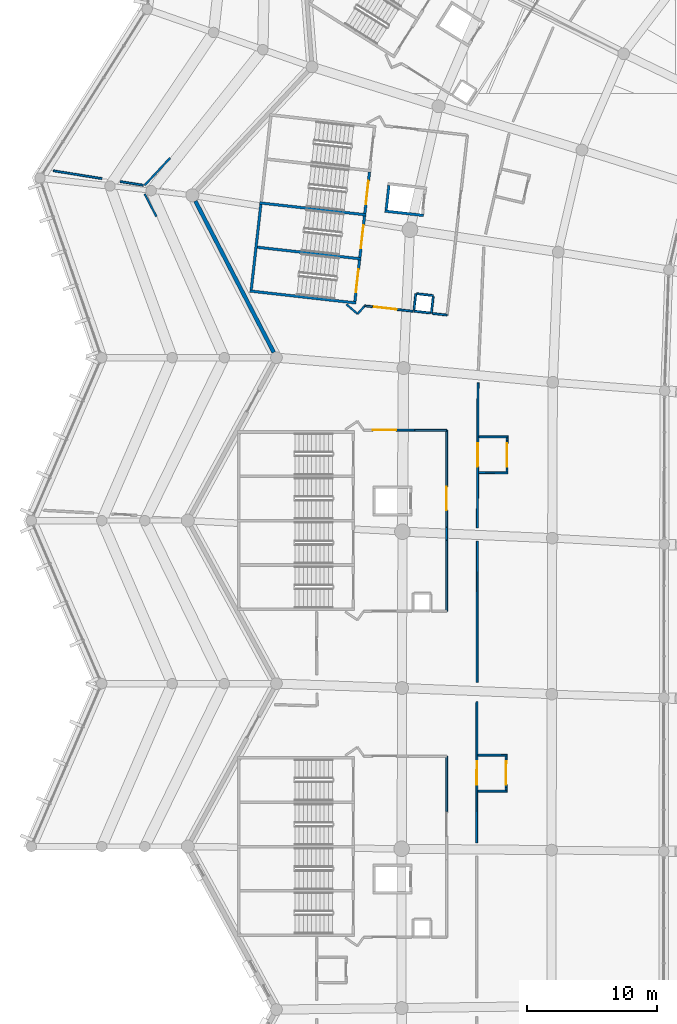
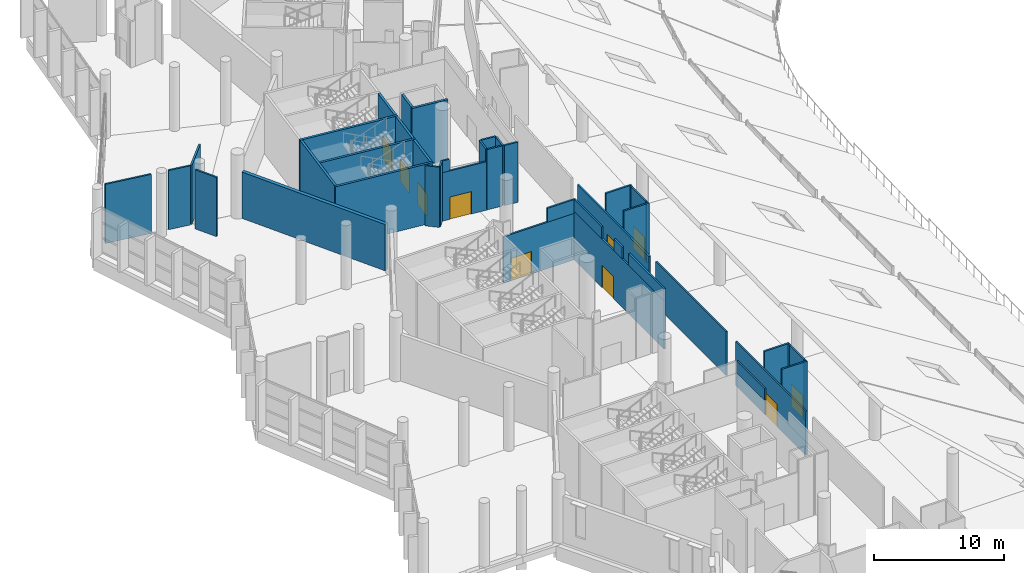
# One storey, part 160 of 249: 43 walls, 10 doors, 10 openings.
"""IFC4 building model written with IfcOpenShell, lengths in metres."""

import ifcopenshell
import ifcopenshell.guid

model = None  # the IFC model being written
_history = None  # IfcOwnerHistory: only IFC2X3 demands one
_inside = {}  # id of a spatial element -> (the spatial element, [elements in it])
_under = {}  # id of a project, library or spatial element -> (it, [spatial elements below it])
_declared = {}  # id of a project -> (the project, [libraries it declares])
_typed = {}  # id of a type object -> (the type object, [elements of that type])
_made_of = {}  # id of a material, layer set ... -> (it, [elements and type objects made of it])


def new_model(schema):
    """Start an empty IFC model of exactly this schema.

    Asked for "IFC4X3", IfcOpenShell would pick the latest addendum, in which some entities
    have other attributes; the version numbers below select the first issue.
    IFC2X3 requires an IfcOwnerHistory on every rooted entity: one is made here for all.
    """
    global model, _history
    if schema == "IFC4X3":
        model = ifcopenshell.file(schema_version=(4, 3, 0, 0))
    else:
        model = ifcopenshell.file(schema=schema)
    _inside.clear()
    _under.clear()
    _declared.clear()
    _typed.clear()
    _made_of.clear()
    _history = None
    if model.schema == "IFC2X3":
        org = make("IfcOrganization", Name="unknown")
        user = make(
            "IfcPersonAndOrganization",
            ThePerson=make("IfcPerson", FamilyName="unknown"),
            TheOrganization=org,
        )
        app = make(
            "IfcApplication",
            ApplicationDeveloper=org,
            Version="unknown",
            ApplicationFullName="unknown",
            ApplicationIdentifier="unknown",
        )
        _history = make(
            "IfcOwnerHistory",
            OwningUser=user,
            OwningApplication=app,
            ChangeAction="ADDED",
            CreationDate=0,
        )
    return model


def make(cls, **values):
    """One entity of the class cls with the attributes given. An attribute that is None is left unset."""
    return model.create_entity(
        cls, **{name: value for name, value in values.items() if value is not None}
    )


def rooted(cls, **values):
    """An entity with a GlobalId (a new one), such as an element, a storey or a relation."""
    return make(cls, GlobalId=ifcopenshell.guid.new(), OwnerHistory=_history, **values)


def si_unit(unit_type, name, prefix=None):
    """IfcSIUnit, for example si_unit("LENGTHUNIT", "METRE", prefix="MILLI")."""
    return make("IfcSIUnit", UnitType=unit_type, Prefix=prefix, Name=name)


def assignment(units):
    """IfcUnitAssignment: the units of a project."""
    return None if units is None else make("IfcUnitAssignment", Units=units)


def point(xyz):
    """IfcCartesianPoint."""
    return None if xyz is None else make("IfcCartesianPoint", Coordinates=xyz)


def direction(xyz):
    """IfcDirection."""
    return None if xyz is None else make("IfcDirection", DirectionRatios=xyz)


def frame(location, z_axis=None, x_axis=None):
    """IfcAxis2Placement3D, a coordinate frame: its origin and axes. An axis left out is left unset."""
    return make(
        "IfcAxis2Placement3D",
        Location=point(location),
        Axis=direction(z_axis),
        RefDirection=direction(x_axis),
    )


def frame_2d(location, x_axis=None):
    """IfcAxis2Placement2D, a coordinate frame in the plane: its origin and x axis."""
    return make(
        "IfcAxis2Placement2D", Location=point(location), RefDirection=direction(x_axis)
    )


def origin():
    """The frame at (0, 0, 0) with its axes left unset."""
    return frame((0.0, 0.0, 0.0))


def place(relative_to, where):
    """IfcLocalPlacement: puts the frame where relative to a parent placement (None: the world)."""
    return make(
        "IfcLocalPlacement", PlacementRelTo=relative_to, RelativePlacement=where
    )


def context(
    kind, dimensions, precision=None, world=None, true_north=None, identifier=None
):
    """IfcGeometricRepresentationContext, for example the 3D "Model" context."""
    return make(
        "IfcGeometricRepresentationContext",
        ContextIdentifier=identifier,
        ContextType=kind,
        CoordinateSpaceDimension=dimensions,
        Precision=precision,
        WorldCoordinateSystem=world,
        TrueNorth=true_north,
    )


def subcontext(parent, identifier, kind, view, scale=None):
    """IfcGeometricRepresentationSubContext, for example "Body" below "Model"."""
    return make(
        "IfcGeometricRepresentationSubContext",
        ContextIdentifier=identifier,
        ContextType=kind,
        ParentContext=parent,
        TargetScale=scale,
        TargetView=view,
    )


def project(units=None, contexts=None):
    """IfcProject with its units and contexts."""
    return rooted(
        "IfcProject",
        Name="project",
        RepresentationContexts=contexts,
        UnitsInContext=assignment(units),
    )


def spatial(cls, under=None, at=None, **own):
    """A site, building, storey or space (cls), placed at a placement, below another one or the project."""
    s = rooted(cls, ObjectPlacement=at, **own)
    if under is not None:
        _under.setdefault(under.id(), (under, []))[1].append(s)
    return s


def profile(cls, at=None, kind="AREA", **sizes):
    """A parametric profile (cls). Its sizes go by their IFC names, for example OverallWidth=200.0."""
    return make(cls, ProfileType=kind, Position=at, **sizes)


def rectangle(**sizes):
    """IfcRectangleProfileDef."""
    return profile("IfcRectangleProfileDef", **sizes)


def extrude(swept, where, along, depth):
    """IfcExtrudedAreaSolid: the profile swept, set in the frame where, extruded along a direction by depth."""
    return make(
        "IfcExtrudedAreaSolid",
        SweptArea=swept,
        Position=where,
        ExtrudedDirection=direction(along),
        Depth=depth,
    )


def shape(context_of_items, identifier, shape_type, items):
    """IfcShapeRepresentation: the items that make up one representation, for example the "Body"."""
    return make(
        "IfcShapeRepresentation",
        ContextOfItems=context_of_items,
        RepresentationIdentifier=identifier,
        RepresentationType=shape_type,
        Items=items,
    )


def material(Name=None, Category=None):
    """IfcMaterial."""
    return make("IfcMaterial", Name=Name, Category=Category)


def layer(
    of_material, thickness, ventilated=None, Name=None, Category=None, Priority=None
):
    """IfcMaterialLayer: one layer of a wall or slab, of a material (None: an air gap)."""
    return make(
        "IfcMaterialLayer",
        Material=of_material,
        LayerThickness=thickness,
        IsVentilated=ventilated,
        Name=Name,
        Category=Category,
        Priority=Priority,
    )


def layer_set(layers, Name=None):
    """IfcMaterialLayerSet."""
    return make("IfcMaterialLayerSet", MaterialLayers=layers, LayerSetName=Name)


def made_of(thing, what):
    """Note that an element or type object is made of a material, layer set ...; save() writes the relation."""
    if what is not None:
        _made_of.setdefault(what.id(), (what, []))[1].append(thing)
    return thing


def type_object(cls, material=None, **own):
    """A type object (cls), such as IfcWallType, which elements share."""
    return made_of(rooted(cls, **own), material)


def element(
    cls,
    number,
    at=None,
    inside=None,
    cuts=None,
    type_object=None,
    material=None,
    context=None,
    identifier="Body",
    shape_type=None,
    held_by="IfcProductDefinitionShape",
    body=None,
    shapes=None,
    **own,
):
    """One element of the class cls, such as IfcWall. Its Tag is "e" and its number.

    at: its placement. inside: the storey or other place that contains it. cuts: it is an
    opening in that element (IfcRelVoidsElement). A single representation is given by context,
    identifier, shape_type and body (its items); several are given by shapes. held_by: the class
    of the entity that holds the representations. save() writes the other relations.
    """
    e = rooted(cls, Tag="e%d" % number, ObjectPlacement=at, **own)
    if body is not None:
        shapes = [shape(context, identifier, shape_type, body)]
    if shapes is not None:
        e.Representation = make(held_by, Representations=shapes)
    if inside is not None:
        _inside.setdefault(inside.id(), (inside, []))[1].append(e)
    if cuts is not None:
        rooted(
            "IfcRelVoidsElement", RelatingBuildingElement=cuts, RelatedOpeningElement=e
        )
    if type_object is not None:
        _typed.setdefault(type_object.id(), (type_object, []))[1].append(e)
    return made_of(e, material)


def fill(opening, filler):
    """IfcRelFillsElement: the door or window that sits in an opening."""
    return rooted(
        "IfcRelFillsElement",
        RelatingOpeningElement=opening,
        RelatedBuildingElement=filler,
    )


def aggregate(whole, parts):
    """IfcRelAggregates: a whole, such as a stair, and the parts it consists of."""
    return rooted("IfcRelAggregates", RelatingObject=whole, RelatedObjects=parts)


def save(model, path):
    """Write the relations noted so far, then the file.

    IfcRelAggregates (storeys below a building ...), IfcRelContainedInSpatialStructure (elements
    in a storey), IfcRelDefinesByType, IfcRelAssociatesMaterial and IfcRelDeclares: one each for
    every whole, place, type object, material and project.
    """
    for whole, parts in _under.values():
        aggregate(whole, parts)
    for where, things in _inside.values():
        rooted(
            "IfcRelContainedInSpatialStructure",
            RelatedElements=things,
            RelatingStructure=where,
        )
    for kind, things in _typed.values():
        rooted("IfcRelDefinesByType", RelatedObjects=things, RelatingType=kind)
    for what, things in _made_of.values():
        rooted("IfcRelAssociatesMaterial", RelatedObjects=things, RelatingMaterial=what)
    for by, libraries in _declared.values():
        rooted("IfcRelDeclares", RelatingContext=by, RelatedDefinitions=libraries)
    model.write(path)


model = new_model("IFC4")

# Units and contexts
model_context = context("Model", 3, precision=1e-05, world=origin(), true_north=direction((0.0, 1.0)))
body_context = subcontext(model_context, "Body", "Model", "MODEL_VIEW")
ifc_project = project(units=[si_unit("LENGTHUNIT", "METRE"), si_unit("AREAUNIT", "SQUARE_METRE"), si_unit("VOLUMEUNIT", "CUBIC_METRE"), si_unit("PLANEANGLEUNIT", "RADIAN"), si_unit("MASSUNIT", "GRAM", prefix="KILO")], contexts=[model_context])

# Site, building, storey
site_placement = place(None, origin())
site = spatial("IfcSite", under=ifc_project, at=site_placement, CompositionType="ELEMENT")
building_placement = place(site_placement, origin())
building = spatial("IfcBuilding", under=site, at=building_placement, Name="Meseta Stadium", CompositionType="ELEMENT")
storey_placement = place(building_placement, frame((0.0, 0.0, 12.0)))
storey = spatial("IfcBuildingStorey", under=building, at=storey_placement, Name="L02", CompositionType="ELEMENT", Elevation=12.0)

# Walls
ifc_material_1 = material(Name="Concrete C40/50", Category="concrete")
ifc_layer_1 = layer(ifc_material_1, 0.199951171875)
ifc_layer_set_1 = layer_set([ifc_layer_1], Name="Core divider wall 200")
wall_type_1 = type_object("IfcWallType", Name="Core divider wall 200", PredefinedType="SHEAR", material=ifc_layer_set_1)
wall_1_placement = place(storey_placement, frame((-96.264892578125, 52.241943359375, 0.0), z_axis=(0.0, 0.0, 1.0), x_axis=(0.993713731549, -0.111950970206, 0.0)))
element("IfcWall", 1, at=wall_1_placement, inside=storey, type_object=wall_type_1, Name="Core 15 L02 stair B divider wall", PredefinedType="SHEAR", context=body_context, shape_type="SweptSolid", body=[
    extrude(rectangle(XDim=8.19970703125, YDim=0.199951171875, at=frame_2d((4.099853515625, 0.0))), origin(), (0.0, 0.0, 1.0), 5.64990234375),
])
ifc_material_2 = material(Name="Concrete C40/50", Category="concrete")
ifc_layer_2 = layer(ifc_material_2, 0.199951171875)
ifc_layer_set_2 = layer_set([ifc_layer_2], Name="Core shaft wall 200")
wall_type_2 = type_object("IfcWallType", Name="Core shaft wall 200", PredefinedType="SHEAR", material=ifc_layer_set_2)
wall_2_placement = place(storey_placement, frame((-95.884521484375, 55.62060546875, 0.0), z_axis=(0.0, 0.0, 1.0), x_axis=(0.993711165474, -0.111973745194, 0.0)))
element("IfcWall", 2, at=wall_2_placement, inside=storey, type_object=wall_type_2, Name="Core 15 L02 stair wall shared", PredefinedType="SHEAR", context=body_context, shape_type="SweptSolid", body=[
    extrude(rectangle(XDim=8.2001953125, YDim=0.199951171875, at=frame_2d((4.10009765625, 0.0))), origin(), (0.0, 0.0, 1.0), 5.64990234375),
])
wall_3_placement = place(storey_placement, frame((-96.645751953125, 48.86328125, 0.0), z_axis=(0.0, 0.0, 1.0), x_axis=(0.993714104693, -0.111947658007, 0.0)))
element("IfcWall", 3, at=wall_3_placement, inside=storey, type_object=wall_type_2, Name="Core 15 L02 stair wall B-side", PredefinedType="SHEAR", context=body_context, shape_type="SweptSolid", body=[
    extrude(rectangle(XDim=8.199951171875, YDim=0.199951171875, at=frame_2d((4.10009765625, 0.0))), origin(), (0.0, 0.0, 1.0), 5.64990234375),
])
wall_4_placement = place(storey_placement, frame((-95.796142578125, 55.510009765625, 0.0), z_axis=(0.0, 0.0, 1.0), x_axis=(-0.111970106426, -0.993711575492, 0.0)))
element("IfcWall", 4, at=wall_4_placement, inside=storey, type_object=wall_type_2, Name="Core 15 L02 stair B outer end wall", PredefinedType="SHEAR", context=body_context, shape_type="SweptSolid", body=[
    extrude(rectangle(XDim=6.60009765625, YDim=0.199951171875, at=frame_2d((3.300048828125, 0.0))), origin(), (0.0, 0.0, 1.0), 5.64990234375),
])

# Wall, opening, door
wall_5_placement = place(storey_placement, frame((-87.4658203125, 57.992919921875, 0.0), z_axis=(0.0, 0.0, 1.0), x_axis=(-0.111997244021, -0.993708517288, 0.0)))
wall_5 = element("IfcWall", 5, at=wall_5_placement, inside=storey, type_object=wall_type_2, Name="Core 15 L02 stair A2 inner end wall", PredefinedType="SHEAR", context=body_context, shape_type="SweptSolid", body=[
    extrude(rectangle(XDim=3.199951171875, YDim=0.199951171875, at=frame_2d((1.60009765625, 0.0))), origin(), (0.0, 0.0, 1.0), 5.64990234375),
])
opening_1_placement = place(wall_5_placement, frame((0.699951171875, 0.0, 0.0)))
opening_1 = element("IfcOpeningElement", 6, at=opening_1_placement, cuts=wall_5, Name="Opening D1008", PredefinedType="OPENING", context=body_context, shape_type="SweptSolid", body=[
    extrude(rectangle(XDim=1.800048828125, YDim=2.10009765625, at=frame_2d((0.89990234375, 1.050048828125))), frame((0.0, 0.10986328125, 0.0), z_axis=(0.0, -1.0, 0.0), x_axis=(1.0, 0.0, 0.0)), (0.0, 0.0, 1.0), 0.219970703125),
])
ifc_material_3 = material(Name="Steel", Category="steel")
door_type_1 = type_object("IfcDoorType", Name="Stair door 1800x2100", OperationType="DOUBLE_DOOR_SINGLE_SWING", PredefinedType="DOOR", material=ifc_material_3)
door_1_placement = place(opening_1_placement, origin())
door_1 = element("IfcDoor", 7, at=door_1_placement, inside=storey, type_object=door_type_1, Name="Stair A2 door 15 L02", OperationType="DOUBLE_DOOR_SINGLE_SWING", OverallHeight=2.10009765625, OverallWidth=1.800048828125, PredefinedType="DOOR", context=body_context, shape_type="SweptSolid", body=[
    extrude(rectangle(XDim=1.800048828125, YDim=2.10009765625, at=frame_2d((0.89990234375, 1.050048828125))), frame((0.0, 0.02490234375, 0.0), z_axis=(0.0, -1.0, 0.0), x_axis=(1.0, 0.0, 0.0)), (0.0, 0.0, 1.0), 0.050048828125),
])
fill(opening_1, door_1)

wall_6_placement = place(storey_placement, frame((-87.846435546875, 54.6142578125, 0.0), z_axis=(0.0, 0.0, 1.0), x_axis=(-0.112005735442, -0.993707560215, 0.0)))
wall_6 = element("IfcWall", 8, at=wall_6_placement, inside=storey, type_object=wall_type_2, Name="Core 15 L02 stair B1 inner end wall", PredefinedType="SHEAR", context=body_context, shape_type="SweptSolid", body=[
    extrude(rectangle(XDim=3.19970703125, YDim=0.199951171875, at=frame_2d((1.599853515625, 0.0))), origin(), (0.0, 0.0, 1.0), 5.64990234375),
])
opening_2_placement = place(wall_6_placement, frame((0.699951171875, 0.0, 0.0)))
opening_2 = element("IfcOpeningElement", 9, at=opening_2_placement, cuts=wall_6, Name="Opening D1007", PredefinedType="OPENING", context=body_context, shape_type="SweptSolid", body=[
    extrude(rectangle(XDim=1.800048828125, YDim=2.10009765625, at=frame_2d((0.89990234375, 1.050048828125))), frame((0.0, 0.10986328125, 0.0), z_axis=(0.0, -1.0, 0.0), x_axis=(1.0, 0.0, 0.0)), (0.0, 0.0, 1.0), 0.219970703125),
])
door_2_placement = place(opening_2_placement, origin())
door_2 = element("IfcDoor", 10, at=door_2_placement, inside=storey, type_object=door_type_1, Name="Stair B1 door 15 L02", OperationType="DOUBLE_DOOR_SINGLE_SWING", OverallHeight=2.10009765625, OverallWidth=1.800048828125, PredefinedType="DOOR", context=body_context, shape_type="SweptSolid", body=[
    extrude(rectangle(XDim=1.800048828125, YDim=2.10009765625, at=frame_2d((0.89990234375, 1.050048828125))), frame((0.0, 0.02490234375, 0.0), z_axis=(0.0, -1.0, 0.0), x_axis=(1.0, 0.0, 0.0)), (0.0, 0.0, 1.0), 0.050048828125),
])
fill(opening_2, door_2)

wall_7_placement = place(storey_placement, frame((-88.227294921875, 51.235595703125, 0.0), z_axis=(0.0, 0.0, 1.0), x_axis=(-0.111930393474, -0.993716049491, 0.0)))
wall_7 = element("IfcWall", 11, at=wall_7_placement, inside=storey, type_object=wall_type_2, Name="Core 15 L02 stair B2 inner end wall", PredefinedType="SHEAR", context=body_context, shape_type="SweptSolid", body=[
    extrude(rectangle(XDim=3.19970703125, YDim=0.199951171875, at=frame_2d((1.599853515625, 0.0))), origin(), (0.0, 0.0, 1.0), 5.64990234375),
])
opening_3_placement = place(wall_7_placement, frame((0.699951171875, 0.0, 0.0)))
opening_3 = element("IfcOpeningElement", 12, at=opening_3_placement, cuts=wall_7, Name="Opening D1006", PredefinedType="OPENING", context=body_context, shape_type="SweptSolid", body=[
    extrude(rectangle(XDim=1.800048828125, YDim=2.10009765625, at=frame_2d((0.89990234375, 1.050048828125))), frame((0.0, 0.10986328125, 0.0), z_axis=(0.0, -1.0, 0.0), x_axis=(1.0, 0.0, 0.0)), (0.0, 0.0, 1.0), 0.219970703125),
])
door_3_placement = place(opening_3_placement, origin())
door_3 = element("IfcDoor", 13, at=door_3_placement, inside=storey, type_object=door_type_1, Name="Stair B2 door 15 L02", OperationType="DOUBLE_DOOR_SINGLE_SWING", OverallHeight=2.10009765625, OverallWidth=1.800048828125, PredefinedType="DOOR", context=body_context, shape_type="SweptSolid", body=[
    extrude(rectangle(XDim=1.800048828125, YDim=2.10009765625, at=frame_2d((0.89990234375, 1.050048828125))), frame((0.0, 0.02490234375, 0.0), z_axis=(0.0, -1.0, 0.0), x_axis=(1.0, 0.0, 0.0)), (0.0, 0.0, 1.0), 0.050048828125),
])
fill(opening_3, door_3)

# Walls
wall_8_placement = place(storey_placement, frame((-86.294189453125, 54.992919921875, 0.0), z_axis=(0.0, 0.0, 1.0), x_axis=(0.993709824566, -0.111985644439, 0.0)))
element("IfcWall", 14, at=wall_8_placement, inside=storey, type_object=wall_type_2, Name="Core 15 L02 lift shaft wall right", PredefinedType="SHEAR", context=body_context, shape_type="SweptSolid", body=[
    extrude(rectangle(XDim=2.999755859375, YDim=0.199951171875, at=frame_2d((1.5, 0.0))), origin(), (0.0, 0.0, 1.0), 5.64990234375),
])
wall_9_placement = place(storey_placement, frame((-85.970947265625, 56.96923828125, 0.0), z_axis=(0.0, 0.0, 1.0), x_axis=(-0.112039012324, -0.993703808847, 0.0)))
element("IfcWall", 15, at=wall_9_placement, inside=storey, type_object=wall_type_2, Name="Core 15 L02 lift shaft back wall", PredefinedType="SHEAR", context=body_context, shape_type="SweptSolid", body=[
    extrude(rectangle(XDim=1.900146484375, YDim=0.199951171875, at=frame_2d((0.9501953125, 0.0))), origin(), (0.0, 0.0, 1.0), 5.64990234375),
])

# Wall, opening, door
ifc_material_4 = material(Name="Masonry blockwork", Category="masonry")
ifc_layer_3 = layer(ifc_material_4, 0.14990234375)
ifc_layer_set_3 = layer_set([ifc_layer_3], Name="Partition 150")
wall_type_3 = type_object("IfcWallType", Name="Partition 150", PredefinedType="PARTITIONING", material=ifc_layer_set_3)
wall_10_placement = place(storey_placement, frame((-79.1904296875, 30.7021484375, 0.0), z_axis=(0.0, 0.0, 1.0), x_axis=(0.004546006523, 0.999989666859, 0.0)))
wall_10 = element("IfcWall", 16, at=wall_10_placement, inside=storey, type_object=wall_type_3, Name="Partition L02 L02-cell14-0-0", PredefinedType="PARTITIONING", context=body_context, shape_type="SweptSolid", body=[
    extrude(rectangle(XDim=11.11669921875, YDim=0.14990234375, at=frame_2d((5.558349609375, 0.0))), origin(), (0.0, 0.0, 1.0), 3.972900390625),
])
opening_4_placement = place(wall_10_placement, frame((4.699951171875, 0.0, 0.0)))
opening_4 = element("IfcOpeningElement", 17, at=opening_4_placement, cuts=wall_10, Name="Opening D1038", PredefinedType="OPENING", context=body_context, shape_type="SweptSolid", body=[
    extrude(rectangle(XDim=1.800048828125, YDim=2.10009765625, at=frame_2d((0.89990234375, 1.050048828125))), frame((0.0, 0.0849609375, 0.0), z_axis=(0.0, -1.0, 0.0), x_axis=(1.0, 0.0, 0.0)), (0.0, 0.0, 1.0), 0.169921875),
])
ifc_material_5 = material(Name="Steel", Category="steel")
door_type_2 = type_object("IfcDoorType", Name="Fire double door 1800x2100 EI2 60", OperationType="DOUBLE_DOOR_SINGLE_SWING", PredefinedType="DOOR", material=ifc_material_5)
door_4_placement = place(opening_4_placement, origin())
door_4 = element("IfcDoor", 18, at=door_4_placement, inside=storey, type_object=door_type_2, Name="Room door L02 L02-cell14-0-0", OperationType="DOUBLE_DOOR_SINGLE_SWING", OverallHeight=2.10009765625, OverallWidth=1.800048828125, PredefinedType="DOOR", context=body_context, shape_type="SweptSolid", body=[
    extrude(rectangle(XDim=1.800048828125, YDim=2.10009765625, at=frame_2d((0.89990234375, 1.050048828125))), frame((0.0, 0.02490234375, 0.0), z_axis=(0.0, -1.0, 0.0), x_axis=(1.0, 0.0, 0.0)), (0.0, 0.0, 1.0), 0.050048828125),
])
fill(opening_4, door_4)

wall_11_placement = place(storey_placement, frame((-79.24658203125, 6.53662109375, 0.0), z_axis=(0.0, 0.0, 1.0), x_axis=(0.002276512155, 0.999997408743, 0.0)))
wall_11 = element("IfcWall", 19, at=wall_11_placement, inside=storey, type_object=wall_type_3, Name="Partition L02 L02-cell15-0-0", PredefinedType="PARTITIONING", context=body_context, shape_type="SweptSolid", body=[
    extrude(rectangle(XDim=10.83154296875, YDim=0.14990234375, at=frame_2d((5.415771484375, 0.0))), origin(), (0.0, 0.0, 1.0), 4.123779296875),
])
opening_5_placement = place(wall_11_placement, frame((4.449951171875, 0.0, 0.0)))
opening_5 = element("IfcOpeningElement", 20, at=opening_5_placement, cuts=wall_11, Name="Opening D1037", PredefinedType="OPENING", context=body_context, shape_type="SweptSolid", body=[
    extrude(rectangle(XDim=1.800048828125, YDim=2.10009765625, at=frame_2d((0.89990234375, 1.050048828125))), frame((0.0, 0.0849609375, 0.0), z_axis=(0.0, -1.0, 0.0), x_axis=(1.0, 0.0, 0.0)), (0.0, 0.0, 1.0), 0.169921875),
])
door_5_placement = place(opening_5_placement, origin())
door_5 = element("IfcDoor", 21, at=door_5_placement, inside=storey, type_object=door_type_2, Name="Room door L02 L02-cell15-0-0", OperationType="DOUBLE_DOOR_SINGLE_SWING", OverallHeight=2.10009765625, OverallWidth=1.800048828125, PredefinedType="DOOR", context=body_context, shape_type="SweptSolid", body=[
    extrude(rectangle(XDim=1.800048828125, YDim=2.10009765625, at=frame_2d((0.89990234375, 1.050048828125))), frame((0.0, 0.02490234375, 0.0), z_axis=(0.0, -1.0, 0.0), x_axis=(1.0, 0.0, 0.0)), (0.0, 0.0, 1.0), 0.050048828125),
])
fill(opening_5, door_5)

# Walls
wall_12_placement = place(storey_placement, frame((-79.218505859375, 18.84521484375, 0.0), z_axis=(0.0, 0.0, 1.0), x_axis=(0.002254023351, 0.999997459686, 0.0)))
element("IfcWall", 22, at=wall_12_placement, inside=storey, type_object=wall_type_3, Name="Partition L02 L02-cell15-0-0", PredefinedType="PARTITIONING", context=body_context, shape_type="SweptSolid", body=[
    extrude(rectangle(XDim=10.831298828125, YDim=0.14990234375, at=frame_2d((5.41552734375, 0.0))), origin(), (0.0, 0.0, 1.0), 4.123779296875),
])
wall_13_placement = place(storey_placement, frame((-102.74658203125, 59.077880859375, 0.0), z_axis=(0.0, 0.0, 1.0), x_axis=(-0.681777855642, -0.731559263188, 0.0)))
element("IfcWall", 23, at=wall_13_placement, inside=storey, type_object=wall_type_3, Name="Partition L02 L02-ring13-0", PredefinedType="PARTITIONING", context=body_context, shape_type="SweptSolid", body=[
    extrude(rectangle(XDim=2.8984375, YDim=0.14990234375, at=frame_2d((1.44921875, 0.0))), origin(), (0.0, 0.0, 1.0), 5.550048828125),
])
wall_14_placement = place(storey_placement, frame((-104.811767578125, 56.971923828125, 0.0), z_axis=(0.0, 0.0, 1.0), x_axis=(-0.987274842255, 0.159023224248, 0.0)))
element("IfcWall", 24, at=wall_14_placement, inside=storey, type_object=wall_type_3, Name="Partition L02 L02-ring13-0", PredefinedType="PARTITIONING", context=body_context, shape_type="SweptSolid", body=[
    extrude(rectangle(XDim=1.7978515625, YDim=0.14990234375, at=frame_2d((0.89892578125, 0.0))), origin(), (0.0, 0.0, 1.0), 5.550048828125),
])
wall_15_placement = place(storey_placement, frame((-107.984619140625, 57.48291015625, 0.0), z_axis=(0.0, 0.0, 1.0), x_axis=(-0.987279127288, 0.158996618901, 0.0)))
element("IfcWall", 25, at=wall_15_placement, inside=storey, type_object=wall_type_3, Name="Partition L02 L02-ring13-0", PredefinedType="PARTITIONING", context=body_context, shape_type="SweptSolid", body=[
    extrude(rectangle(XDim=3.77587890625, YDim=0.14990234375, at=frame_2d((1.887939453125, 0.0))), origin(), (0.0, 0.0, 1.0), 5.550048828125),
])
wall_16_placement = place(storey_placement, frame((-104.707275390625, 56.302490234375, 0.0), z_axis=(0.0, 0.0, 1.0), x_axis=(0.459976248991, -0.887931219388, 0.0)))
element("IfcWall", 26, at=wall_16_placement, inside=storey, type_object=wall_type_3, Name="Partition L02 L02-ring14-0", PredefinedType="PARTITIONING", context=body_context, shape_type="SweptSolid", body=[
    extrude(rectangle(XDim=1.944091796875, YDim=0.14990234375, at=frame_2d((0.97216796875, 0.0))), origin(), (0.0, 0.0, 1.0), 5.550048828125),
])
for number, where, z_axis, x_axis, name in (
    (27, (-83.913330078125, 48.66162109375, 0.0), (0.0, 0.0, 1.0), (-0.111818407645, -0.993728656984, 0.0), "Pressurisation shaft wall L02 core 15"),
    (28, (-84.064453125, 47.320068359375, 0.0), (0.0, 0.0, 1.0), (0.993707363865, -0.11200747743, 0.0), "Pressurisation shaft wall L02 core 15"),
):
    element("IfcWall", number, at=place(storey_placement, frame(where, z_axis=z_axis, x_axis=x_axis)), inside=storey, type_object=wall_type_3, Name=name, PredefinedType="PARTITIONING", context=body_context, shape_type="SweptSolid", body=[
        extrude(rectangle(XDim=1.275146484375, YDim=0.14990234375, at=frame_2d((0.6376953125, 0.0))), origin(), (0.0, 0.0, 1.0), 5.64990234375),
    ])
for number, where, z_axis, x_axis, name in (
    (29, (-82.722900390625, 47.1689453125, 0.0), (0.0, 0.0, 1.0), (0.112028792108, 0.993704961112, 0.0), "Pressurisation shaft wall L02 core 15"),
    (30, (-82.57177734375, 48.510498046875, 0.0), (0.0, 0.0, 1.0), (-0.993726262285, 0.111839687257, 0.0), "Pressurisation shaft wall L02 core 15"),
):
    element("IfcWall", number, at=place(storey_placement, frame(where, z_axis=z_axis, x_axis=x_axis)), inside=storey, type_object=wall_type_3, Name=name, PredefinedType="PARTITIONING", context=body_context, shape_type="SweptSolid", body=[
        extrude(rectangle(XDim=1.27490234375, YDim=0.14990234375, at=frame_2d((0.637451171875, 0.0))), origin(), (0.0, 0.0, 1.0), 5.64990234375),
    ])
wall_17_placement = place(storey_placement, frame((-89.233642578125, 47.83740234375, 0.0), z_axis=(0.0, 0.0, 1.0), x_axis=(0.758950911089, -0.651147843855, 0.0)))
element("IfcWall", 31, at=wall_17_placement, inside=storey, type_object=wall_type_3, Name="Stair vestibule wall L02 core 15", PredefinedType="PARTITIONING", context=body_context, shape_type="SweptSolid", body=[
    extrude(rectangle(XDim=1.1279296875, YDim=0.14990234375, at=frame_2d((0.56396484375, 0.0))), origin(), (0.0, 0.0, 1.0), 5.64990234375),
])
wall_18_placement = place(storey_placement, frame((-88.377685546875, 47.10302734375, 0.0), z_axis=(0.0, 0.0, 1.0), x_axis=(0.66330376879, 0.748350259109, 0.0)))
element("IfcWall", 32, at=wall_18_placement, inside=storey, type_object=wall_type_3, Name="Stair vestibule wall L02 core 15", PredefinedType="PARTITIONING", context=body_context, shape_type="SweptSolid", body=[
    extrude(rectangle(XDim=0.82958984375, YDim=0.14990234375, at=frame_2d((0.414794921875, 0.0))), origin(), (0.0, 0.0, 1.0), 5.64990234375),
])

# Wall, opening, door
wall_19_placement = place(storey_placement, frame((-87.827392578125, 47.723876953125, 0.0), z_axis=(0.0, 0.0, 1.0), x_axis=(0.993708869306, -0.11199412066, 0.0)))
wall_19 = element("IfcWall", 33, at=wall_19_placement, inside=storey, type_object=wall_type_3, Name="Stair vestibule wall L02 core 15", PredefinedType="PARTITIONING", context=body_context, shape_type="SweptSolid", body=[
    extrude(rectangle(XDim=3.70361328125, YDim=0.14990234375, at=frame_2d((1.851806640625, 0.0))), origin(), (0.0, 0.0, 1.0), 4.550048828125),
])
opening_6_placement = place(wall_19_placement, frame((0.64990234375, 0.0, 0.0)))
opening_6 = element("IfcOpeningElement", 34, at=opening_6_placement, cuts=wall_19, Name="Opening D1017", PredefinedType="OPENING", context=body_context, shape_type="SweptSolid", body=[
    extrude(rectangle(XDim=1.800048828125, YDim=2.10009765625, at=frame_2d((0.89990234375, 1.050048828125))), frame((0.0, 0.0849609375, 0.0), z_axis=(0.0, -1.0, 0.0), x_axis=(1.0, 0.0, 0.0)), (0.0, 0.0, 1.0), 0.169921875),
])
door_6_placement = place(opening_6_placement, origin())
door_6 = element("IfcDoor", 35, at=door_6_placement, inside=storey, type_object=door_type_2, Name="Stair vestibule door L02 core 15", OperationType="DOUBLE_DOOR_SINGLE_SWING", OverallHeight=2.10009765625, OverallWidth=1.800048828125, PredefinedType="DOOR", context=body_context, shape_type="SweptSolid", body=[
    extrude(rectangle(XDim=1.800048828125, YDim=2.10009765625, at=frame_2d((0.89990234375, 1.050048828125))), frame((0.0, 0.02490234375, 0.0), z_axis=(0.0, -1.0, 0.0), x_axis=(1.0, 0.0, 0.0)), (0.0, 0.0, 1.0), 0.050048828125),
])
fill(opening_6, door_6)

# Walls
wall_20_placement = place(storey_placement, frame((-87.827392578125, 47.723876953125, 4.550048828125), z_axis=(0.0, 0.0, 1.0), x_axis=(0.993673547442, -0.112307083986, 0.0)))
element("IfcWall", 36, at=wall_20_placement, inside=storey, type_object=wall_type_3, Name="Stair vestibule wall L02 core 15", PredefinedType="PARTITIONING", context=body_context, shape_type="SweptSolid", body=[
    extrude(rectangle(XDim=0.60009765625, YDim=0.14990234375, at=frame_2d((0.300048828125, 0.0))), origin(), (0.0, 0.0, 1.0), 1.099853515625),
])
wall_21_placement = place(storey_placement, frame((-82.640625, 47.139404296875, 0.0), z_axis=(0.0, 0.0, 1.0), x_axis=(0.993725340882, -0.111847873866, 0.0)))
element("IfcWall", 37, at=wall_21_placement, inside=storey, type_object=wall_type_3, Name="Stair vestibule wall L02 core 15", PredefinedType="PARTITIONING", context=body_context, shape_type="SweptSolid", body=[
    extrude(rectangle(XDim=1.135009765625, YDim=0.14990234375, at=frame_2d((0.5673828125, 0.0))), origin(), (0.0, 0.0, 1.0), 5.64990234375),
])

# Wall, opening, door
wall_22_placement = place(storey_placement, frame((-81.554931640625, 24.304931640625, 0.0), z_axis=(0.0, 0.0, 1.0), x_axis=(0.0, 1.0, 0.0)))
wall_22 = element("IfcWall", 38, at=wall_22_placement, inside=storey, type_object=wall_type_3, Name="Stair vestibule wall L02 core 16", PredefinedType="PARTITIONING", context=body_context, shape_type="SweptSolid", body=[
    extrude(rectangle(XDim=13.89013671875, YDim=0.14990234375, at=frame_2d((6.945068359375, 0.0))), origin(), (0.0, 0.0, 1.0), 4.550048828125),
])
opening_7_placement = place(wall_22_placement, frame((7.75, 0.0, 0.0)))
opening_7 = element("IfcOpeningElement", 39, at=opening_7_placement, cuts=wall_22, Name="Opening D1030", PredefinedType="OPENING", context=body_context, shape_type="SweptSolid", body=[
    extrude(rectangle(XDim=1.800048828125, YDim=2.10009765625, at=frame_2d((0.89990234375, 1.050048828125))), frame((0.0, 0.0849609375, 0.0), z_axis=(0.0, -1.0, 0.0), x_axis=(1.0, 0.0, 0.0)), (0.0, 0.0, 1.0), 0.169921875),
])
door_7_placement = place(opening_7_placement, origin())
door_7 = element("IfcDoor", 40, at=door_7_placement, inside=storey, type_object=door_type_2, Name="Stair vestibule door L02 core 16", OperationType="DOUBLE_DOOR_SINGLE_SWING", OverallHeight=2.10009765625, OverallWidth=1.800048828125, PredefinedType="DOOR", context=body_context, shape_type="SweptSolid", body=[
    extrude(rectangle(XDim=1.800048828125, YDim=2.10009765625, at=frame_2d((0.89990234375, 1.050048828125))), frame((0.0, 0.02490234375, 0.0), z_axis=(0.0, -1.0, 0.0), x_axis=(1.0, 0.0, 0.0)), (0.0, 0.0, 1.0), 0.050048828125),
])
fill(opening_7, door_7)

# Walls
wall_23_placement = place(storey_placement, frame((-81.554931640625, 24.304931640625, 4.550048828125), z_axis=(0.0, 0.0, 1.0), x_axis=(0.0, 1.0, 0.0)))
element("IfcWall", 41, at=wall_23_placement, inside=storey, type_object=wall_type_3, Name="Stair vestibule wall L02 core 16", PredefinedType="PARTITIONING", context=body_context, shape_type="SweptSolid", body=[
    extrude(rectangle(XDim=5.456787109375, YDim=0.14990234375, at=frame_2d((2.728515625, 0.0))), origin(), (0.0, 0.0, 1.0), 1.099853515625),
])
wall_24_placement = place(storey_placement, frame((-81.554931640625, 30.75390625, 4.550048828125), z_axis=(0.0, 0.0, 1.0), x_axis=(0.0, 1.0, 0.0)))
element("IfcWall", 42, at=wall_24_placement, inside=storey, type_object=wall_type_3, Name="Stair vestibule wall L02 core 16", PredefinedType="PARTITIONING", context=body_context, shape_type="SweptSolid", body=[
    extrude(rectangle(XDim=1.2509765625, YDim=0.14990234375, at=frame_2d((0.62548828125, 0.0))), origin(), (0.0, 0.0, 1.0), 1.099853515625),
])

# Wall, opening, door
wall_25_placement = place(storey_placement, frame((-81.554931640625, 38.195068359375, 0.0), z_axis=(0.0, 0.0, 1.0), x_axis=(-1.0, 0.0, 0.0)))
wall_25 = element("IfcWall", 43, at=wall_25_placement, inside=storey, type_object=wall_type_3, Name="Stair vestibule wall L02 core 16", PredefinedType="PARTITIONING", context=body_context, shape_type="SweptSolid", body=[
    extrude(rectangle(XDim=6.354248046875, YDim=0.14990234375, at=frame_2d((3.17724609375, 0.0))), origin(), (0.0, 0.0, 1.0), 4.35009765625),
])
opening_8_placement = place(wall_25_placement, frame((3.85009765625, 0.0, 0.0)))
opening_8 = element("IfcOpeningElement", 44, at=opening_8_placement, cuts=wall_25, Name="Opening D1016", PredefinedType="OPENING", context=body_context, shape_type="SweptSolid", body=[
    extrude(rectangle(XDim=1.800048828125, YDim=2.10009765625, at=frame_2d((0.89990234375, 1.050048828125))), frame((0.0, 0.0849609375, 0.0), z_axis=(0.0, -1.0, 0.0), x_axis=(1.0, 0.0, 0.0)), (0.0, 0.0, 1.0), 0.169921875),
])
door_8_placement = place(opening_8_placement, origin())
door_8 = element("IfcDoor", 45, at=door_8_placement, inside=storey, type_object=door_type_2, Name="Stair vestibule door L02 core 16", OperationType="DOUBLE_DOOR_SINGLE_SWING", OverallHeight=2.10009765625, OverallWidth=1.800048828125, PredefinedType="DOOR", context=body_context, shape_type="SweptSolid", body=[
    extrude(rectangle(XDim=1.800048828125, YDim=2.10009765625, at=frame_2d((0.89990234375, 1.050048828125))), frame((0.0, 0.02490234375, 0.0), z_axis=(0.0, -1.0, 0.0), x_axis=(1.0, 0.0, 0.0)), (0.0, 0.0, 1.0), 0.050048828125),
])
fill(opening_8, door_8)

# Walls
wall_26_placement = place(storey_placement, frame((-81.554931640625, 38.195068359375, 4.35009765625), z_axis=(0.0, 0.0, 1.0), x_axis=(-1.0, 0.0, 0.0)))
element("IfcWall", 46, at=wall_26_placement, inside=storey, type_object=wall_type_3, Name="Stair vestibule wall L02 core 16", PredefinedType="PARTITIONING", context=body_context, shape_type="SweptSolid", body=[
    extrude(rectangle(XDim=2.444091796875, YDim=0.14990234375, at=frame_2d((1.22216796875, 0.0))), origin(), (0.0, 0.0, 1.0), 1.2998046875),
])
wall_27_placement = place(storey_placement, frame((-81.554931640625, 8.905029296875, 4.550048828125), z_axis=(0.0, 0.0, 1.0), x_axis=(0.0, 1.0, 0.0)))
element("IfcWall", 47, at=wall_27_placement, inside=storey, type_object=wall_type_3, Name="Stair vestibule wall L02 core 17", PredefinedType="PARTITIONING", context=body_context, shape_type="SweptSolid", body=[
    extrude(rectangle(XDim=4.2900390625, YDim=0.14990234375, at=frame_2d((2.14501953125, 0.0))), origin(), (0.0, 0.0, 1.0), 1.099853515625),
])
for number, where, z_axis, x_axis, name in (
    (48, (-79.09619140625, 34.9267578125, 0.0), (0.0, 0.0, 1.0), (0.999989615708, -0.004557244342, 0.0), "Partition L02 L02-cell14-0-0 vestibule"),
    (49, (-79.083740234375, 37.6767578125, 0.0), (0.0, 0.0, 1.0), (0.999989615708, -0.004557244342, 0.0), "Partition L02 L02-cell14-0-0 vestibule"),
):
    element("IfcWall", number, at=place(storey_placement, frame(where, z_axis=z_axis, x_axis=x_axis)), inside=storey, type_object=wall_type_3, Name=name, PredefinedType="PARTITIONING", context=body_context, shape_type="SweptSolid", body=[
        extrude(rectangle(XDim=2.25, YDim=0.14990234375, at=frame_2d((1.125, 0.0))), origin(), (0.0, 0.0, 1.0), 5.64990234375),
    ])
wall_28_placement = place(storey_placement, frame((-76.9208984375, 34.991943359375, 0.0), z_axis=(0.0, 0.0, 1.0), x_axis=(0.003662979089, 0.99999329127, 0.0)))
element("IfcWall", 50, at=wall_28_placement, inside=storey, type_object=wall_type_3, Name="Partition L02 L02-cell14-0-0 vestibule", PredefinedType="PARTITIONING", context=body_context, shape_type="SweptSolid", body=[
    extrude(rectangle(XDim=0.199951171875, YDim=0.14990234375, at=frame_2d((0.10009765625, 0.0))), origin(), (0.0, 0.0, 1.0), 5.64990234375),
])

# Wall, opening, door
wall_29_placement = place(storey_placement, frame((-76.920166015625, 35.19189453125, 0.0), z_axis=(0.0, 0.0, 1.0), x_axis=(0.004549947354, 0.999989648936, 0.0)))
wall_29 = element("IfcWall", 51, at=wall_29_placement, inside=storey, type_object=wall_type_3, Name="Partition L02 L02-cell14-0-0 vestibule", PredefinedType="PARTITIONING", context=body_context, shape_type="SweptSolid", body=[
    extrude(rectangle(XDim=2.199951171875, YDim=0.14990234375, at=frame_2d((1.10009765625, 0.0))), origin(), (0.0, 0.0, 1.0), 5.64990234375),
])
opening_9_placement = place(wall_29_placement, frame((0.199951171875, 0.0, 0.0)))
opening_9 = element("IfcOpeningElement", 52, at=opening_9_placement, cuts=wall_29, Name="Opening D1046", PredefinedType="OPENING", context=body_context, shape_type="SweptSolid", body=[
    extrude(rectangle(XDim=1.800048828125, YDim=2.10009765625, at=frame_2d((0.89990234375, 1.050048828125))), frame((0.0, 0.0849609375, 0.0), z_axis=(0.0, -1.0, 0.0), x_axis=(1.0, 0.0, 0.0)), (0.0, 0.0, 1.0), 0.169921875),
])
door_9_placement = place(opening_9_placement, origin())
door_9 = element("IfcDoor", 53, at=door_9_placement, inside=storey, type_object=door_type_2, Name="Vestibule door L02 L02-cell14-0-0", OperationType="DOUBLE_DOOR_SINGLE_SWING", OverallHeight=2.10009765625, OverallWidth=1.800048828125, PredefinedType="DOOR", context=body_context, shape_type="SweptSolid", body=[
    extrude(rectangle(XDim=1.800048828125, YDim=2.10009765625, at=frame_2d((0.89990234375, 1.050048828125))), frame((0.0, 0.02490234375, 0.0), z_axis=(0.0, -1.0, 0.0), x_axis=(1.0, 0.0, 0.0)), (0.0, 0.0, 1.0), 0.050048828125),
])
fill(opening_9, door_9)

# Walls
wall_30_placement = place(storey_placement, frame((-76.91015625, 37.391845703125, 0.0), z_axis=(0.0, 0.0, 1.0), x_axis=(0.004883946635, 0.999988073462, 0.0)))
element("IfcWall", 54, at=wall_30_placement, inside=storey, type_object=wall_type_3, Name="Partition L02 L02-cell14-0-0 vestibule", PredefinedType="PARTITIONING", context=body_context, shape_type="SweptSolid", body=[
    extrude(rectangle(XDim=0.199951171875, YDim=0.14990234375, at=frame_2d((0.10009765625, 0.0))), origin(), (0.0, 0.0, 1.0), 5.64990234375),
])
for number, where, z_axis, x_axis, name in (
    (55, (-79.16259765625, 10.511474609375, 0.0), (0.0, 0.0, 1.0), (0.999997403897, -0.002278639918, 0.0), "Partition L02 L02-cell15-0-0 vestibule"),
    (56, (-79.156494140625, 13.261474609375, 0.0), (0.0, 0.0, 1.0), (0.999997403897, -0.002278639918, 0.0), "Partition L02 L02-cell15-0-0 vestibule"),
):
    element("IfcWall", number, at=place(storey_placement, frame(where, z_axis=z_axis, x_axis=x_axis)), inside=storey, type_object=wall_type_3, Name=name, PredefinedType="PARTITIONING", context=body_context, shape_type="SweptSolid", body=[
        extrude(rectangle(XDim=2.25, YDim=0.14990234375, at=frame_2d((1.125, 0.0))), origin(), (0.0, 0.0, 1.0), 5.64990234375),
    ])
wall_31_placement = place(storey_placement, frame((-76.987548828125, 10.58154296875, 0.0), z_axis=(0.0, 0.0, 1.0), x_axis=(0.002441995161, 0.999997018325, 0.0)))
element("IfcWall", 57, at=wall_31_placement, inside=storey, type_object=wall_type_3, Name="Partition L02 L02-cell15-0-0 vestibule", PredefinedType="PARTITIONING", context=body_context, shape_type="SweptSolid", body=[
    extrude(rectangle(XDim=0.199951171875, YDim=0.14990234375, at=frame_2d((0.10009765625, 0.0))), origin(), (0.0, 0.0, 1.0), 5.64990234375),
])

# Wall, opening, door
wall_32_placement = place(storey_placement, frame((-76.987060546875, 10.781494140625, 0.0), z_axis=(0.0, 0.0, 1.0), x_axis=(0.002330220038, 0.999997285034, 0.0)))
wall_32 = element("IfcWall", 58, at=wall_32_placement, inside=storey, type_object=wall_type_3, Name="Partition L02 L02-cell15-0-0 vestibule", PredefinedType="PARTITIONING", context=body_context, shape_type="SweptSolid", body=[
    extrude(rectangle(XDim=2.2001953125, YDim=0.14990234375, at=frame_2d((1.10009765625, 0.0))), origin(), (0.0, 0.0, 1.0), 5.64990234375),
])
opening_10_placement = place(wall_32_placement, frame((0.199951171875, 0.0, 0.0)))
opening_10 = element("IfcOpeningElement", 59, at=opening_10_placement, cuts=wall_32, Name="Opening D1044", PredefinedType="OPENING", context=body_context, shape_type="SweptSolid", body=[
    extrude(rectangle(XDim=1.800048828125, YDim=2.10009765625, at=frame_2d((0.89990234375, 1.050048828125))), frame((0.0, 0.0849609375, 0.0), z_axis=(0.0, -1.0, 0.0), x_axis=(1.0, 0.0, 0.0)), (0.0, 0.0, 1.0), 0.169921875),
])
door_10_placement = place(opening_10_placement, origin())
door_10 = element("IfcDoor", 60, at=door_10_placement, inside=storey, type_object=door_type_2, Name="Vestibule door L02 L02-cell15-0-0", OperationType="DOUBLE_DOOR_SINGLE_SWING", OverallHeight=2.10009765625, OverallWidth=1.800048828125, PredefinedType="DOOR", context=body_context, shape_type="SweptSolid", body=[
    extrude(rectangle(XDim=1.800048828125, YDim=2.10009765625, at=frame_2d((0.89990234375, 1.050048828125))), frame((0.0, 0.02490234375, 0.0), z_axis=(0.0, -1.0, 0.0), x_axis=(1.0, 0.0, 0.0)), (0.0, 0.0, 1.0), 0.050048828125),
])
fill(opening_10, door_10)

# Walls
wall_33_placement = place(storey_placement, frame((-76.98193359375, 12.981689453125, 0.0), z_axis=(0.0, 0.0, 1.0), x_axis=(0.002441995161, 0.999997018325, 0.0)))
element("IfcWall", 61, at=wall_33_placement, inside=storey, type_object=wall_type_3, Name="Partition L02 L02-cell15-0-0 vestibule", PredefinedType="PARTITIONING", context=body_context, shape_type="SweptSolid", body=[
    extrude(rectangle(XDim=0.199951171875, YDim=0.14990234375, at=frame_2d((0.10009765625, 0.0))), origin(), (0.0, 0.0, 1.0), 5.64990234375),
])
wall_34_placement = place(storey_placement, frame((-81.554931640625, 33.905029296875, 4.550048828125), z_axis=(0.0, 0.0, 1.0), x_axis=(0.0, 1.0, 0.0)))
element("IfcWall", 62, at=wall_34_placement, inside=storey, type_object=wall_type_3, Name="Stair vestibule wall L02 core 16", PredefinedType="PARTITIONING", context=body_context, shape_type="SweptSolid", body=[
    extrude(rectangle(XDim=4.2900390625, YDim=0.14990234375, at=frame_2d((2.14501953125, 0.0))), origin(), (0.0, 0.0, 1.0), 1.099853515625),
])
ifc_material_6 = material(Name="White precast concrete C40/50", Category="concrete")
ifc_layer_4 = layer(ifc_material_6, 0.300048828125)
ifc_layer_set_4 = layer_set([ifc_layer_4], Name="Pleated panel wall 300 concourse")
wall_type_4 = type_object("IfcWallType", Name="Pleated panel wall 300 concourse", PredefinedType="SOLIDWALL", material=ifc_layer_set_4)
wall_35_placement = place(storey_placement, frame((-94.806884765625, 44.1494140625, 0.0), z_axis=(0.0, 0.0, 1.0), x_axis=(-0.460021193284, 0.887907935391, 0.0)))
element("IfcWall", 63, at=wall_35_placement, inside=storey, type_object=wall_type_4, Name="Pleated facade panel L02 F28", PredefinedType="SOLIDWALL", context=body_context, shape_type="SweptSolid", body=[
    extrude(rectangle(XDim=13.0751953125, YDim=0.300048828125, at=frame_2d((6.53759765625, 0.0))), origin(), (0.0, 0.0, 1.0), 4.35009765625),
])

save(model, "model.ifc")
